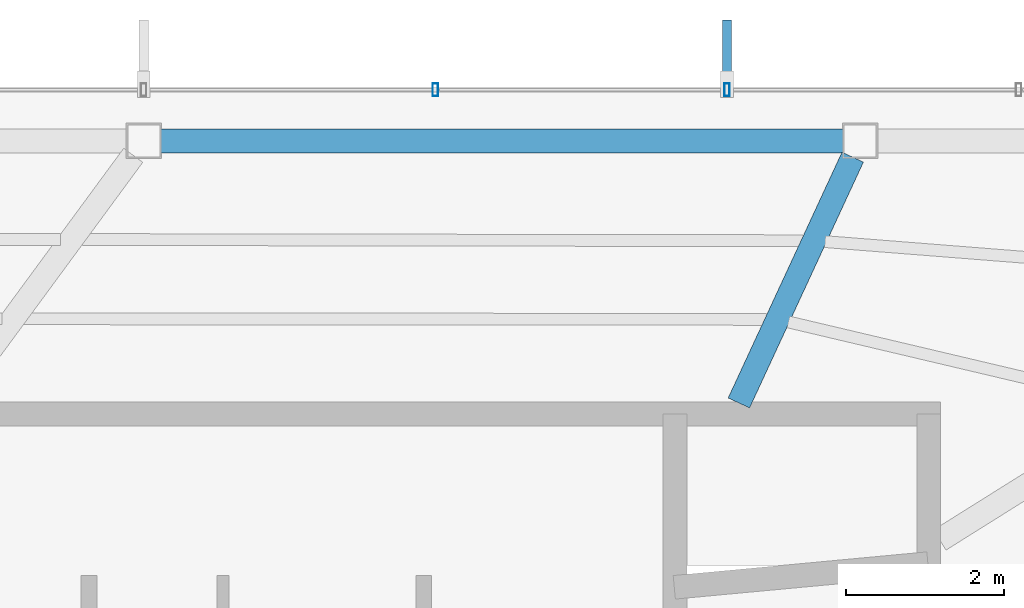
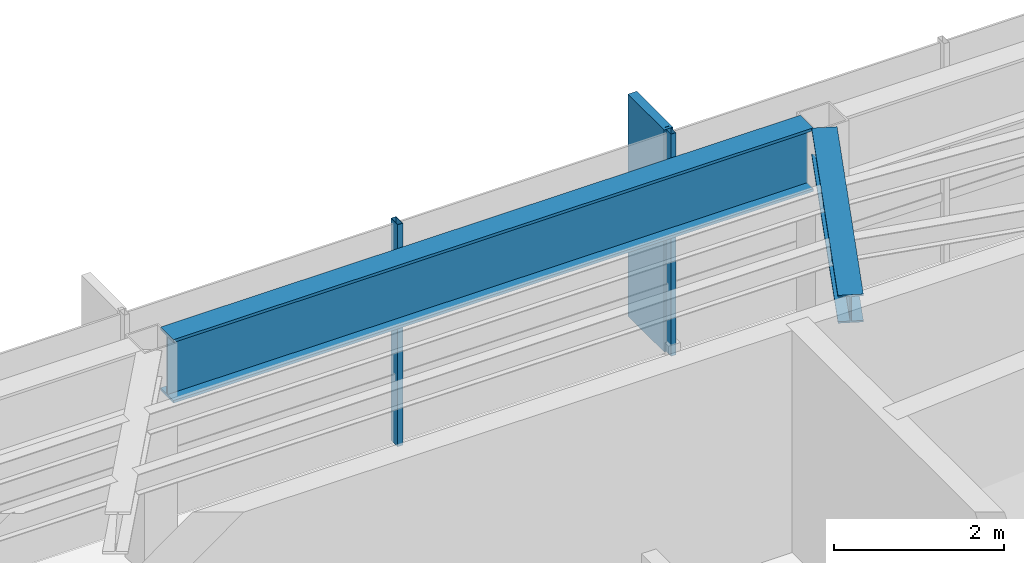
# One storey, part 14 of 22: 3 members, 2 beams, 1 element without a shape of its own.
"""IFC4 building model written with IfcOpenShell, lengths in metres."""

from ifc_helpers import new_model, si_unit, direction, frame, origin, origin_2d, place, context, subcontext, project, spatial, rectangle, hollow_rectangle, i_section, extrude, material, layer, layer_set, material_profile, profile_set, type_object, element, aggregate, save


model = new_model("IFC4")

# Units and contexts
model_context = context("Model", 3, precision=1e-05, world=origin(), true_north=direction((0.0, 1.0)))
body_context = subcontext(model_context, "Body", "Model", "MODEL_VIEW")
ifc_project = project(units=[si_unit("LENGTHUNIT", "METRE"), si_unit("AREAUNIT", "SQUARE_METRE"), si_unit("VOLUMEUNIT", "CUBIC_METRE"), si_unit("PLANEANGLEUNIT", "RADIAN"), si_unit("MASSUNIT", "GRAM", prefix="KILO")], contexts=[model_context])

# Site, building, storey
site_placement = place(None, origin())
site = spatial("IfcSite", under=ifc_project, at=site_placement, CompositionType="ELEMENT")
building_placement = place(site_placement, origin())
building = spatial("IfcBuilding", under=site, at=building_placement, Name="Zarrinselat Tower", CompositionType="ELEMENT")
storey_placement = place(building_placement, frame((0.0, 0.0, 292.39990234375)))
storey = spatial("IfcBuildingStorey", under=building, at=storey_placement, Name="L75", CompositionType="ELEMENT", Elevation=292.39990234375)

# Beams
ifc_material_1 = material(Name="Steel S355J2", Category="steel")
ifc_material_profile_1 = material_profile(ifc_material_1, i_section(OverallWidth=0.300048828125, OverallDepth=0.39990234375, WebThickness=0.013427734375, FlangeThickness=0.02392578125, at=origin_2d()), Name="HEB 400")
ifc_profile_set_1 = profile_set([ifc_material_profile_1], Name="Steel S355J2")
beam_type_1 = type_object("IfcBeamType", Name="BM-HEB400", PredefinedType="BEAM", material=ifc_profile_set_1)
beam_1_placement = place(storey_placement, frame((45.800048828125, 43.5400390625, 2.97998046875), z_axis=(0.420205846553, 0.907428810719, 0.0), x_axis=(-0.907428810719, 0.420205846553, 0.0)))
element("IfcBeam", 1, at=beam_1_placement, inside=storey, type_object=beam_type_1, Name="L75 Radial Primary Girder RG02", PredefinedType="BEAM", context=body_context, shape_type="SweptSolid", body=[
    extrude(i_section(OverallWidth=0.300048828125, OverallDepth=0.39990234375, WebThickness=0.013427734375, FlangeThickness=0.02392578125, at=origin_2d()), origin(), (0.0, 0.0, 1.0), 3.43896484375),
])
ifc_material_2 = material(Name="Steel S460M", Category="steel")
ifc_material_profile_2 = material_profile(ifc_material_2, i_section(OverallWidth=0.302001953125, OverallDepth=0.909912109375, WebThickness=0.02099609375, FlangeThickness=0.0400390625, at=origin_2d()), Name="HEM 900")
ifc_profile_set_2 = profile_set([ifc_material_profile_2], Name="Steel S460M")
beam_type_2 = type_object("IfcBeamType", Name="BM-HEM900", PredefinedType="BEAM", material=ifc_profile_set_2)
beam_2_placement = place(storey_placement, frame((38.45849609375, 46.86669921875, 2.72509765625), z_axis=(1.0, 0.0, 0.0), x_axis=(0.0, 1.0, 0.0)))
element("IfcBeam", 2, at=beam_2_placement, inside=storey, type_object=beam_type_2, Name="L75 Perimeter Spandrel Girder SP02", PredefinedType="BEAM", context=body_context, shape_type="SweptSolid", body=[
    extrude(i_section(OverallWidth=0.302001953125, OverallDepth=0.909912109375, WebThickness=0.02099609375, FlangeThickness=0.0400390625, at=origin_2d()), origin(), (0.0, 0.0, 1.0), 8.6689453125),
])

# Curtain wall, members
ifc_material_3 = material(Name="Extruded Aluminium Alloy EN AW-6063 T6", Category="aluminium")
ifc_layer = layer(ifc_material_3, 0.169921875)
ifc_layer_set = layer_set([ifc_layer], Name="Extruded Aluminium Alloy EN AW-6063 T6")
curtain_wall_type = type_object("IfcCurtainWallType", Name="CWS-RES", PredefinedType="NOTDEFINED", material=ifc_layer_set)
curtain_wall_placement = place(storey_placement, origin())
curtain_wall = element("IfcCurtainWall", 3, at=curtain_wall_placement, inside=storey, type_object=curtain_wall_type, Name="L75 Unitised Curtain Wall CW-L75-E01", PredefinedType="NOTDEFINED")
ifc_material_4 = material(Name="Extruded Aluminium Alloy EN AW-6063 T6", Category="aluminium")
ifc_material_profile_3 = material_profile(ifc_material_4, hollow_rectangle(XDim=0.070068359375, YDim=0.159912109375, WallThickness=0.00390625, at=origin_2d()), Name="RHS 160x70x4")
ifc_profile_set_3 = profile_set([ifc_material_profile_3], Name="Extruded Aluminium Alloy EN AW-6063 T6")
member_type_1 = type_object("IfcMemberType", Name="MEM-CW-MUL2", PredefinedType="MULLION", material=ifc_profile_set_3)
member_1_placement = place(storey_placement, frame((45.6494140625, 47.5166015625, 0.0), z_axis=(0.0, 0.0, 1.0), x_axis=(-1.0, 0.0, 0.0)))
member_1 = element("IfcMember", 4, at=member_1_placement, type_object=member_type_1, Name="CW-L75-E01 Mullion 3", PredefinedType="MULLION", context=body_context, shape_type="SweptSolid", body=[
    extrude(hollow_rectangle(XDim=0.070068359375, YDim=0.159912109375, WallThickness=0.00390625, at=origin_2d()), origin(), (0.0, 0.0, 1.0), 3.18017578125),
])
member_2_placement = place(storey_placement, frame((41.94677734375, 47.5166015625, 0.0), z_axis=(0.0, 0.0, 1.0), x_axis=(-1.0, 0.0, 0.0)))
member_2 = element("IfcMember", 5, at=member_2_placement, type_object=member_type_1, Name="CW-L75-E01 Mullion 4", PredefinedType="MULLION", context=body_context, shape_type="SweptSolid", body=[
    extrude(hollow_rectangle(XDim=0.070068359375, YDim=0.159912109375, WallThickness=0.00390625, at=origin_2d()), origin(), (0.0, 0.0, 1.0), 3.18017578125),
])
ifc_material_5 = material(Name="Honed Cream Travertine Stone", Category="masonry")
ifc_material_profile_4 = material_profile(ifc_material_5, rectangle(XDim=0.1201171875, YDim=0.85009765625, at=origin_2d()), Name="FIN 850x120")
ifc_profile_set_4 = profile_set([ifc_material_profile_4], Name="Honed Cream Travertine Stone")
member_type_2 = type_object("IfcMemberType", Name="MEM-STONE-FIN", PredefinedType="USERDEFINED", material=ifc_profile_set_4)
member_3_placement = place(storey_placement, frame((45.6494140625, 47.976806640625, 0.0), z_axis=(0.0, 0.0, 1.0), x_axis=(1.0, 0.0, 0.0)))
member_3 = element("IfcMember", 6, at=member_3_placement, type_object=member_type_2, Name="L75 Stone Shading Fin CW-L75-E01-03", ObjectType="FIN", PredefinedType="USERDEFINED", context=body_context, shape_type="SweptSolid", body=[
    extrude(rectangle(XDim=0.1201171875, YDim=0.85009765625, at=origin_2d()), origin(), (0.0, 0.0, 1.0), 3.18017578125),
])
aggregate(curtain_wall, [member_1, member_3, member_2])

save(model, "model.ifc")
